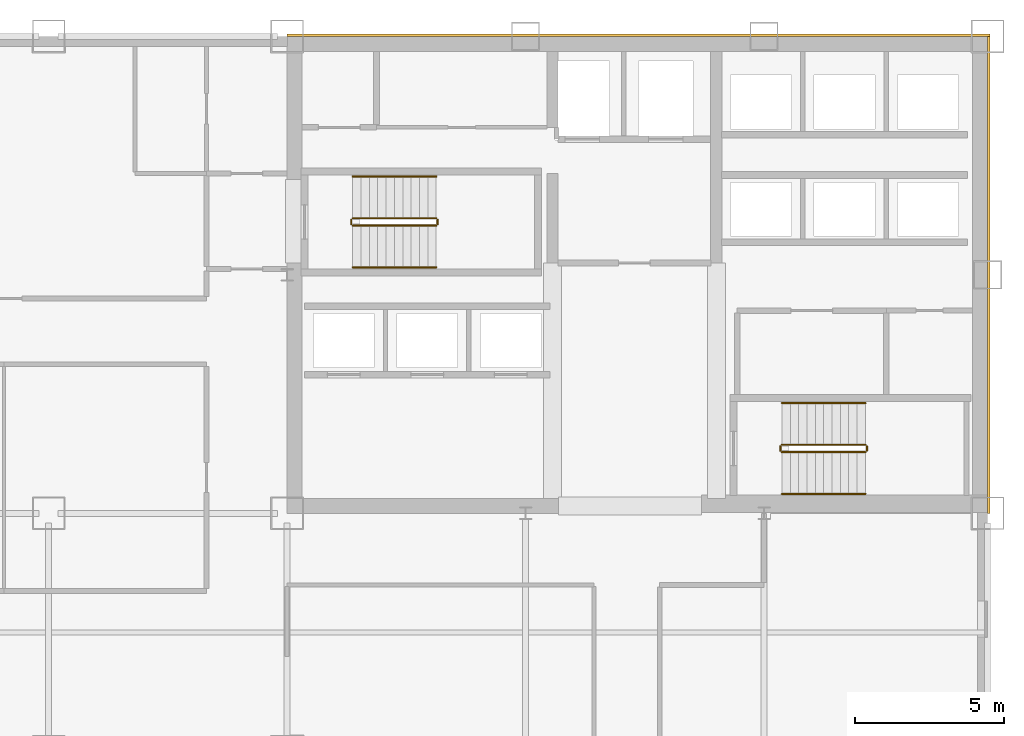
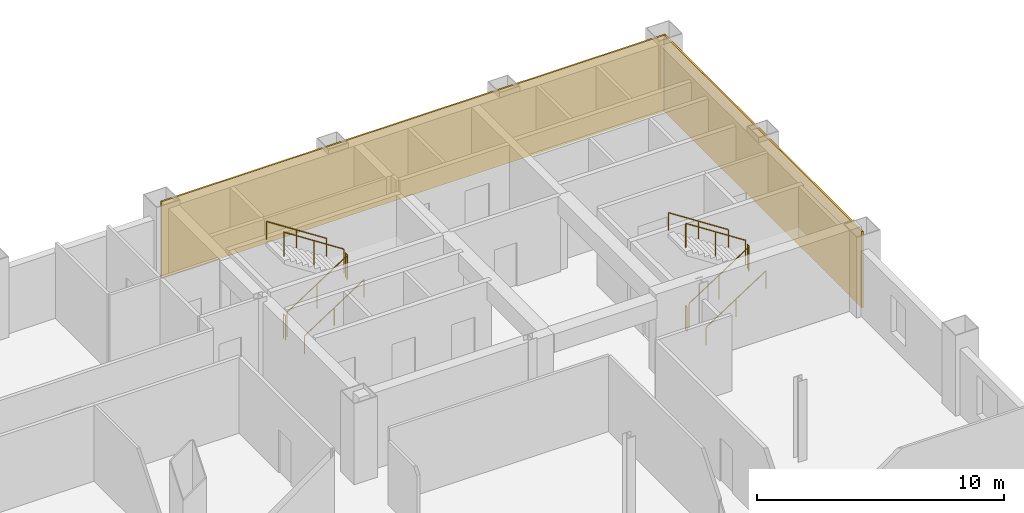
# One storey, part 9 of 9: 12 railings, 2 coverings.
"""IFC4 building model written with IfcOpenShell, lengths in metres."""

import ifcopenshell
import ifcopenshell.guid

model = None  # the IFC model being written
_history = None  # IfcOwnerHistory: only IFC2X3 demands one
_inside = {}  # id of a spatial element -> (the spatial element, [elements in it])
_under = {}  # id of a project, library or spatial element -> (it, [spatial elements below it])
_declared = {}  # id of a project -> (the project, [libraries it declares])
_typed = {}  # id of a type object -> (the type object, [elements of that type])
_made_of = {}  # id of a material, layer set ... -> (it, [elements and type objects made of it])


def new_model(schema):
    """Start an empty IFC model of exactly this schema.

    Asked for "IFC4X3", IfcOpenShell would pick the latest addendum, in which some entities
    have other attributes; the version numbers below select the first issue.
    IFC2X3 requires an IfcOwnerHistory on every rooted entity: one is made here for all.
    """
    global model, _history
    if schema == "IFC4X3":
        model = ifcopenshell.file(schema_version=(4, 3, 0, 0))
    else:
        model = ifcopenshell.file(schema=schema)
    _inside.clear()
    _under.clear()
    _declared.clear()
    _typed.clear()
    _made_of.clear()
    _history = None
    if model.schema == "IFC2X3":
        org = make("IfcOrganization", Name="unknown")
        user = make(
            "IfcPersonAndOrganization",
            ThePerson=make("IfcPerson", FamilyName="unknown"),
            TheOrganization=org,
        )
        app = make(
            "IfcApplication",
            ApplicationDeveloper=org,
            Version="unknown",
            ApplicationFullName="unknown",
            ApplicationIdentifier="unknown",
        )
        _history = make(
            "IfcOwnerHistory",
            OwningUser=user,
            OwningApplication=app,
            ChangeAction="ADDED",
            CreationDate=0,
        )
    return model


def make(cls, **values):
    """One entity of the class cls with the attributes given. An attribute that is None is left unset."""
    return model.create_entity(
        cls, **{name: value for name, value in values.items() if value is not None}
    )


def rooted(cls, **values):
    """An entity with a GlobalId (a new one), such as an element, a storey or a relation."""
    return make(cls, GlobalId=ifcopenshell.guid.new(), OwnerHistory=_history, **values)


def si_unit(unit_type, name, prefix=None):
    """IfcSIUnit, for example si_unit("LENGTHUNIT", "METRE", prefix="MILLI")."""
    return make("IfcSIUnit", UnitType=unit_type, Prefix=prefix, Name=name)


def assignment(units):
    """IfcUnitAssignment: the units of a project."""
    return None if units is None else make("IfcUnitAssignment", Units=units)


def point(xyz):
    """IfcCartesianPoint."""
    return None if xyz is None else make("IfcCartesianPoint", Coordinates=xyz)


def direction(xyz):
    """IfcDirection."""
    return None if xyz is None else make("IfcDirection", DirectionRatios=xyz)


def frame(location, z_axis=None, x_axis=None):
    """IfcAxis2Placement3D, a coordinate frame: its origin and axes. An axis left out is left unset."""
    return make(
        "IfcAxis2Placement3D",
        Location=point(location),
        Axis=direction(z_axis),
        RefDirection=direction(x_axis),
    )


def frame_2d(location, x_axis=None):
    """IfcAxis2Placement2D, a coordinate frame in the plane: its origin and x axis."""
    return make(
        "IfcAxis2Placement2D", Location=point(location), RefDirection=direction(x_axis)
    )


def origin():
    """The frame at (0, 0, 0) with its axes left unset."""
    return frame((0.0, 0.0, 0.0))


def origin_2d():
    """The frame at (0, 0) in the plane with its x axis left unset."""
    return frame_2d((0.0, 0.0))


def place(relative_to, where):
    """IfcLocalPlacement: puts the frame where relative to a parent placement (None: the world)."""
    return make(
        "IfcLocalPlacement", PlacementRelTo=relative_to, RelativePlacement=where
    )


def context(
    kind, dimensions, precision=None, world=None, true_north=None, identifier=None
):
    """IfcGeometricRepresentationContext, for example the 3D "Model" context."""
    return make(
        "IfcGeometricRepresentationContext",
        ContextIdentifier=identifier,
        ContextType=kind,
        CoordinateSpaceDimension=dimensions,
        Precision=precision,
        WorldCoordinateSystem=world,
        TrueNorth=true_north,
    )


def subcontext(parent, identifier, kind, view, scale=None):
    """IfcGeometricRepresentationSubContext, for example "Body" below "Model"."""
    return make(
        "IfcGeometricRepresentationSubContext",
        ContextIdentifier=identifier,
        ContextType=kind,
        ParentContext=parent,
        TargetScale=scale,
        TargetView=view,
    )


def project(units=None, contexts=None):
    """IfcProject with its units and contexts."""
    return rooted(
        "IfcProject",
        Name="project",
        RepresentationContexts=contexts,
        UnitsInContext=assignment(units),
    )


def spatial(cls, under=None, at=None, **own):
    """A site, building, storey or space (cls), placed at a placement, below another one or the project."""
    s = rooted(cls, ObjectPlacement=at, **own)
    if under is not None:
        _under.setdefault(under.id(), (under, []))[1].append(s)
    return s


def profile(cls, at=None, kind="AREA", **sizes):
    """A parametric profile (cls). Its sizes go by their IFC names, for example OverallWidth=200.0."""
    return make(cls, ProfileType=kind, Position=at, **sizes)


def rectangle(**sizes):
    """IfcRectangleProfileDef."""
    return profile("IfcRectangleProfileDef", **sizes)


def circle(**sizes):
    """IfcCircleProfileDef."""
    return profile("IfcCircleProfileDef", **sizes)


def extrude(swept, where, along, depth):
    """IfcExtrudedAreaSolid: the profile swept, set in the frame where, extruded along a direction by depth."""
    return make(
        "IfcExtrudedAreaSolid",
        SweptArea=swept,
        Position=where,
        ExtrudedDirection=direction(along),
        Depth=depth,
    )


def shape(context_of_items, identifier, shape_type, items):
    """IfcShapeRepresentation: the items that make up one representation, for example the "Body"."""
    return make(
        "IfcShapeRepresentation",
        ContextOfItems=context_of_items,
        RepresentationIdentifier=identifier,
        RepresentationType=shape_type,
        Items=items,
    )


def material(Name=None, Category=None):
    """IfcMaterial."""
    return make("IfcMaterial", Name=Name, Category=Category)


def layer(
    of_material, thickness, ventilated=None, Name=None, Category=None, Priority=None
):
    """IfcMaterialLayer: one layer of a wall or slab, of a material (None: an air gap)."""
    return make(
        "IfcMaterialLayer",
        Material=of_material,
        LayerThickness=thickness,
        IsVentilated=ventilated,
        Name=Name,
        Category=Category,
        Priority=Priority,
    )


def layer_set(layers, Name=None):
    """IfcMaterialLayerSet."""
    return make("IfcMaterialLayerSet", MaterialLayers=layers, LayerSetName=Name)


def made_of(thing, what):
    """Note that an element or type object is made of a material, layer set ...; save() writes the relation."""
    if what is not None:
        _made_of.setdefault(what.id(), (what, []))[1].append(thing)
    return thing


def type_object(cls, material=None, **own):
    """A type object (cls), such as IfcWallType, which elements share."""
    return made_of(rooted(cls, **own), material)


def element(
    cls,
    number,
    at=None,
    inside=None,
    cuts=None,
    type_object=None,
    material=None,
    context=None,
    identifier="Body",
    shape_type=None,
    held_by="IfcProductDefinitionShape",
    body=None,
    shapes=None,
    **own,
):
    """One element of the class cls, such as IfcWall. Its Tag is "e" and its number.

    at: its placement. inside: the storey or other place that contains it. cuts: it is an
    opening in that element (IfcRelVoidsElement). A single representation is given by context,
    identifier, shape_type and body (its items); several are given by shapes. held_by: the class
    of the entity that holds the representations. save() writes the other relations.
    """
    e = rooted(cls, Tag="e%d" % number, ObjectPlacement=at, **own)
    if body is not None:
        shapes = [shape(context, identifier, shape_type, body)]
    if shapes is not None:
        e.Representation = make(held_by, Representations=shapes)
    if inside is not None:
        _inside.setdefault(inside.id(), (inside, []))[1].append(e)
    if cuts is not None:
        rooted(
            "IfcRelVoidsElement", RelatingBuildingElement=cuts, RelatedOpeningElement=e
        )
    if type_object is not None:
        _typed.setdefault(type_object.id(), (type_object, []))[1].append(e)
    return made_of(e, material)


def aggregate(whole, parts):
    """IfcRelAggregates: a whole, such as a stair, and the parts it consists of."""
    return rooted("IfcRelAggregates", RelatingObject=whole, RelatedObjects=parts)


def save(model, path):
    """Write the relations noted so far, then the file.

    IfcRelAggregates (storeys below a building ...), IfcRelContainedInSpatialStructure (elements
    in a storey), IfcRelDefinesByType, IfcRelAssociatesMaterial and IfcRelDeclares: one each for
    every whole, place, type object, material and project.
    """
    for whole, parts in _under.values():
        aggregate(whole, parts)
    for where, things in _inside.values():
        rooted(
            "IfcRelContainedInSpatialStructure",
            RelatedElements=things,
            RelatingStructure=where,
        )
    for kind, things in _typed.values():
        rooted("IfcRelDefinesByType", RelatedObjects=things, RelatingType=kind)
    for what, things in _made_of.values():
        rooted("IfcRelAssociatesMaterial", RelatedObjects=things, RelatingMaterial=what)
    for by, libraries in _declared.values():
        rooted("IfcRelDeclares", RelatingContext=by, RelatedDefinitions=libraries)
    model.write(path)


model = new_model("IFC4")

# Units and contexts
model_context = context("Model", 3, precision=1e-05, world=origin(), true_north=direction((0.0, 1.0)))
body_context = subcontext(model_context, "Body", "Model", "MODEL_VIEW")
ifc_project = project(units=[si_unit("LENGTHUNIT", "METRE"), si_unit("AREAUNIT", "SQUARE_METRE"), si_unit("VOLUMEUNIT", "CUBIC_METRE"), si_unit("PLANEANGLEUNIT", "RADIAN"), si_unit("MASSUNIT", "GRAM", prefix="KILO")], contexts=[model_context])

# Site, building, storey
site_placement = place(None, origin())
site = spatial("IfcSite", under=ifc_project, at=site_placement, CompositionType="ELEMENT")
building_placement = place(site_placement, origin())
building = spatial("IfcBuilding", under=site, at=building_placement, Name="Qianrong Seaharbour Tower", CompositionType="ELEMENT")
storey_placement = place(building_placement, frame((0.0, 0.0, 147.0)))
storey = spatial("IfcBuildingStorey", under=building, at=storey_placement, Name="L35", CompositionType="ELEMENT", Elevation=147.0)

# Coverings
ifc_material_1 = material(Name="Unitised red brick cladding on Precast concrete C45/55", Category="masonry")
ifc_layer = layer(ifc_material_1, 0.080078125)
ifc_layer_set = layer_set([ifc_layer], Name="Unitised red brick cladding on Precast concrete C45/55")
covering_type = type_object("IfcCoveringType", Name="COV-CLAD-RED-BRICK-80", PredefinedType="CLADDING", material=ifc_layer_set)
covering_1_placement = place(storey_placement, frame((52.2900390625, 52.0400390625, 0.0), z_axis=(0.0, 0.0, 1.0), x_axis=(1.0, 0.0, 0.0)))
element("IfcCovering", 1, at=covering_1_placement, inside=storey, type_object=covering_type, Name="L35 North Core Brick Veneer Cladding", PredefinedType="CLADDING", context=body_context, shape_type="SweptSolid", body=[
    extrude(rectangle(XDim=23.580078125, YDim=0.080078125, at=origin_2d()), origin(), (0.0, 0.0, 1.0), 3.764892578125),
])
covering_2_placement = place(storey_placement, frame((64.0400390625, 44.0, 0.0), z_axis=(0.0, 0.0, 1.0), x_axis=(1.0, 0.0, 0.0)))
element("IfcCovering", 2, at=covering_2_placement, inside=storey, type_object=covering_type, Name="L35 East Core Brick Veneer Cladding", PredefinedType="CLADDING", context=body_context, shape_type="SweptSolid", body=[
    extrude(rectangle(XDim=0.080078125, YDim=16.0, at=origin_2d()), origin(), (0.0, 0.0, 1.0), 3.764892578125),
])

# Railings
ifc_material_2 = material(Name="Galvanized painted steel SN400B stair guard", Category="steel")
railing_type_1 = type_object("IfcRailingType", Name="RAIL-STAIR-GUARD-1220", PredefinedType="GUARDRAIL", material=ifc_material_2)
railing_1_placement = place(storey_placement, frame((42.699951171875, 45.64990234375, 0.181884765625)))
element("IfcRailing", 3, at=railing_1_placement, inside=storey, type_object=railing_type_1, Name="L35 ST-1 stair guard 1", PredefinedType="GUARDRAIL", context=body_context, shape_type="SweptSolid", body=[
    extrude(circle(Radius=0.02392578125, at=origin_2d()), frame((0.0, 0.0, 1.19580078125), z_axis=(0.838705829183, 0.0, 0.544584733623), x_axis=(0.0, 1.0, 0.0)), (0.0, 0.0, 1.0), 3.338623046875),
    extrude(circle(Radius=0.02099609375, at=origin_2d()), origin(), (0.0, 0.0, 1.0), 1.171875),
    extrude(circle(Radius=0.02099609375, at=origin_2d()), frame((1.39990234375, 0.0, 0.9091796875)), (0.0, 0.0, 1.0), 1.171875),
    extrude(circle(Radius=0.02099609375, at=origin_2d()), frame((2.800048828125, 0.0, 1.818115234375)), (0.0, 0.0, 1.0), 1.171875),
])
railing_2_placement = place(storey_placement, frame((45.550048828125, 45.699951171875, 2.0)))
element("IfcRailing", 4, at=railing_2_placement, inside=storey, type_object=railing_type_1, Name="L35 ST-1 stair guard 2", PredefinedType="GUARDRAIL", context=body_context, shape_type="SweptSolid", body=[
    extrude(circle(Radius=0.02392578125, at=origin_2d()), frame((0.0, 0.0, 1.19580078125), z_axis=(0.0, 1.0, 0.0), x_axis=(-1.0, 0.0, 0.0)), (0.0, 0.0, 1.0), 0.150146484375),
    extrude(circle(Radius=0.02099609375, at=origin_2d()), origin(), (0.0, 0.0, 1.0), 1.171875),
    extrude(circle(Radius=0.02099609375, at=origin_2d()), frame((0.0, 0.150146484375, 0.0)), (0.0, 0.0, 1.0), 1.171875),
])
railing_3_placement = place(storey_placement, frame((45.5, 45.89990234375, 2.181884765625)))
element("IfcRailing", 5, at=railing_3_placement, inside=storey, type_object=railing_type_1, Name="L35 ST-1 stair guard 3", PredefinedType="GUARDRAIL", context=body_context, shape_type="SweptSolid", body=[
    extrude(circle(Radius=0.02392578125, at=origin_2d()), frame((0.0, 0.0, 1.19580078125), z_axis=(-0.838705829183, 0.0, 0.544584733623), x_axis=(0.0, -1.0, 0.0)), (0.0, 0.0, 1.0), 3.338623046875),
    extrude(circle(Radius=0.02099609375, at=origin_2d()), origin(), (0.0, 0.0, 1.0), 1.171875),
    extrude(circle(Radius=0.02099609375, at=origin_2d()), frame((-1.39990234375, 0.0, 0.9091796875)), (0.0, 0.0, 1.0), 1.171875),
    extrude(circle(Radius=0.02099609375, at=origin_2d()), frame((-2.800048828125, 0.0, 1.818115234375)), (0.0, 0.0, 1.0), 1.171875),
])
railing_4_placement = place(storey_placement, frame((42.64990234375, 45.699951171875, 0.0)))
element("IfcRailing", 6, at=railing_4_placement, inside=storey, type_object=railing_type_1, Name="L35 ST-1 stair guard 4", PredefinedType="GUARDRAIL", context=body_context, shape_type="SweptSolid", body=[
    extrude(circle(Radius=0.02392578125, at=origin_2d()), frame((0.0, 0.0, 1.19580078125), z_axis=(0.0, 1.0, 0.0), x_axis=(-1.0, 0.0, 0.0)), (0.0, 0.0, 1.0), 0.150146484375),
    extrude(circle(Radius=0.02099609375, at=origin_2d()), origin(), (0.0, 0.0, 1.0), 1.171875),
    extrude(circle(Radius=0.02099609375, at=origin_2d()), frame((0.0, 0.150146484375, 0.0)), (0.0, 0.0, 1.0), 1.171875),
])
railing_5_placement = place(storey_placement, frame((57.10009765625, 38.050048828125, 0.181884765625)))
element("IfcRailing", 7, at=railing_5_placement, inside=storey, type_object=railing_type_1, Name="L35 ST-2 stair guard 1", PredefinedType="GUARDRAIL", context=body_context, shape_type="SweptSolid", body=[
    extrude(circle(Radius=0.02392578125, at=origin_2d()), frame((0.0, 0.0, 1.19580078125), z_axis=(0.83868413941, 0.0, 0.544618136222), x_axis=(0.0, 1.0, 0.0)), (0.0, 0.0, 1.0), 3.33837890625),
    extrude(circle(Radius=0.02099609375, at=origin_2d()), origin(), (0.0, 0.0, 1.0), 1.171875),
    extrude(circle(Radius=0.02099609375, at=origin_2d()), frame((1.39990234375, 0.0, 0.9091796875)), (0.0, 0.0, 1.0), 1.171875),
    extrude(circle(Radius=0.02099609375, at=origin_2d()), frame((2.7998046875, 0.0, 1.818115234375)), (0.0, 0.0, 1.0), 1.171875),
])
railing_6_placement = place(storey_placement, frame((59.949951171875, 38.10009765625, 2.0)))
element("IfcRailing", 8, at=railing_6_placement, inside=storey, type_object=railing_type_1, Name="L35 ST-2 stair guard 2", PredefinedType="GUARDRAIL", context=body_context, shape_type="SweptSolid", body=[
    extrude(circle(Radius=0.02392578125, at=origin_2d()), frame((0.0, 0.0, 1.19580078125), z_axis=(0.0, 1.0, 0.0), x_axis=(-1.0, 0.0, 0.0)), (0.0, 0.0, 1.0), 0.14990234375),
    extrude(circle(Radius=0.02099609375, at=origin_2d()), origin(), (0.0, 0.0, 1.0), 1.171875),
    extrude(circle(Radius=0.02099609375, at=origin_2d()), frame((0.0, 0.14990234375, 0.0)), (0.0, 0.0, 1.0), 1.171875),
])
railing_7_placement = place(storey_placement, frame((59.89990234375, 38.300048828125, 2.181884765625)))
element("IfcRailing", 9, at=railing_7_placement, inside=storey, type_object=railing_type_1, Name="L35 ST-2 stair guard 3", PredefinedType="GUARDRAIL", context=body_context, shape_type="SweptSolid", body=[
    extrude(circle(Radius=0.02392578125, at=origin_2d()), frame((0.0, 0.0, 1.19580078125), z_axis=(-0.83868413941, 0.0, 0.544618136222), x_axis=(0.0, -1.0, 0.0)), (0.0, 0.0, 1.0), 3.33837890625),
    extrude(circle(Radius=0.02099609375, at=origin_2d()), origin(), (0.0, 0.0, 1.0), 1.171875),
    extrude(circle(Radius=0.02099609375, at=origin_2d()), frame((-1.39990234375, 0.0, 0.9091796875)), (0.0, 0.0, 1.0), 1.171875),
    extrude(circle(Radius=0.02099609375, at=origin_2d()), frame((-2.7998046875, 0.0, 1.818115234375)), (0.0, 0.0, 1.0), 1.171875),
])
railing_8_placement = place(storey_placement, frame((57.050048828125, 38.10009765625, 0.0)))
element("IfcRailing", 10, at=railing_8_placement, inside=storey, type_object=railing_type_1, Name="L35 ST-2 stair guard 4", PredefinedType="GUARDRAIL", context=body_context, shape_type="SweptSolid", body=[
    extrude(circle(Radius=0.02392578125, at=origin_2d()), frame((0.0, 0.0, 1.19580078125), z_axis=(0.0, 1.0, 0.0), x_axis=(-1.0, 0.0, 0.0)), (0.0, 0.0, 1.0), 0.14990234375),
    extrude(circle(Radius=0.02099609375, at=origin_2d()), origin(), (0.0, 0.0, 1.0), 1.171875),
    extrude(circle(Radius=0.02099609375, at=origin_2d()), frame((0.0, 0.14990234375, 0.0)), (0.0, 0.0, 1.0), 1.171875),
])
ifc_material_3 = material(Name="Stainless steel SUS316L continuous handrail", Category="steel")
railing_type_2 = type_object("IfcRailingType", Name="RAIL-STAIR-HANDRAIL-900", PredefinedType="HANDRAIL", material=ifc_material_3)
railing_9_placement = place(storey_placement, frame((42.699951171875, 44.25, 0.181884765625)))
element("IfcRailing", 11, at=railing_9_placement, inside=storey, type_object=railing_type_2, Name="L35 ST-1 stair handrail 1", PredefinedType="HANDRAIL", context=body_context, shape_type="SweptSolid", body=[
    extrude(circle(Radius=0.02392578125, at=origin_2d()), frame((0.0, 0.0, 0.8759765625), z_axis=(0.838705829183, 0.0, 0.544584733623), x_axis=(0.0, 1.0, 0.0)), (0.0, 0.0, 1.0), 3.338623046875),
    extrude(circle(Radius=0.02099609375, at=origin_2d()), origin(), (0.0, 0.0, 1.0), 0.851806640625),
    extrude(circle(Radius=0.02099609375, at=origin_2d()), frame((1.39990234375, 0.0, 0.9091796875)), (0.0, 0.0, 1.0), 0.851806640625),
    extrude(circle(Radius=0.02099609375, at=origin_2d()), frame((2.800048828125, 0.0, 1.818115234375)), (0.0, 0.0, 1.0), 0.851806640625),
])
railing_10_placement = place(storey_placement, frame((45.5, 47.300048828125, 2.181884765625)))
element("IfcRailing", 12, at=railing_10_placement, inside=storey, type_object=railing_type_2, Name="L35 ST-1 stair handrail 2", PredefinedType="HANDRAIL", context=body_context, shape_type="SweptSolid", body=[
    extrude(circle(Radius=0.02392578125, at=origin_2d()), frame((0.0, 0.0, 0.8759765625), z_axis=(-0.838705829183, 0.0, 0.544584733623), x_axis=(0.0, -1.0, 0.0)), (0.0, 0.0, 1.0), 3.338623046875),
    extrude(circle(Radius=0.02099609375, at=origin_2d()), origin(), (0.0, 0.0, 1.0), 0.851806640625),
    extrude(circle(Radius=0.02099609375, at=origin_2d()), frame((-1.39990234375, 0.0, 0.9091796875)), (0.0, 0.0, 1.0), 0.851806640625),
    extrude(circle(Radius=0.02099609375, at=origin_2d()), frame((-2.800048828125, 0.0, 1.818115234375)), (0.0, 0.0, 1.0), 0.851806640625),
])
railing_11_placement = place(storey_placement, frame((57.10009765625, 36.64990234375, 0.181884765625)))
element("IfcRailing", 13, at=railing_11_placement, inside=storey, type_object=railing_type_2, Name="L35 ST-2 stair handrail 1", PredefinedType="HANDRAIL", context=body_context, shape_type="SweptSolid", body=[
    extrude(circle(Radius=0.02392578125, at=origin_2d()), frame((0.0, 0.0, 0.8759765625), z_axis=(0.83868413941, 0.0, 0.544618136222), x_axis=(0.0, 1.0, 0.0)), (0.0, 0.0, 1.0), 3.33837890625),
    extrude(circle(Radius=0.02099609375, at=origin_2d()), origin(), (0.0, 0.0, 1.0), 0.851806640625),
    extrude(circle(Radius=0.02099609375, at=origin_2d()), frame((1.39990234375, 0.0, 0.9091796875)), (0.0, 0.0, 1.0), 0.851806640625),
    extrude(circle(Radius=0.02099609375, at=origin_2d()), frame((2.7998046875, 0.0, 1.818115234375)), (0.0, 0.0, 1.0), 0.851806640625),
])
railing_12_placement = place(storey_placement, frame((59.89990234375, 39.699951171875, 2.181884765625)))
element("IfcRailing", 14, at=railing_12_placement, inside=storey, type_object=railing_type_2, Name="L35 ST-2 stair handrail 2", PredefinedType="HANDRAIL", context=body_context, shape_type="SweptSolid", body=[
    extrude(circle(Radius=0.02392578125, at=origin_2d()), frame((0.0, 0.0, 0.8759765625), z_axis=(-0.83868413941, 0.0, 0.544618136222), x_axis=(0.0, -1.0, 0.0)), (0.0, 0.0, 1.0), 3.33837890625),
    extrude(circle(Radius=0.02099609375, at=origin_2d()), origin(), (0.0, 0.0, 1.0), 0.851806640625),
    extrude(circle(Radius=0.02099609375, at=origin_2d()), frame((-1.39990234375, 0.0, 0.9091796875)), (0.0, 0.0, 1.0), 0.851806640625),
    extrude(circle(Radius=0.02099609375, at=origin_2d()), frame((-2.7998046875, 0.0, 1.818115234375)), (0.0, 0.0, 1.0), 0.851806640625),
])

save(model, "model.ifc")
